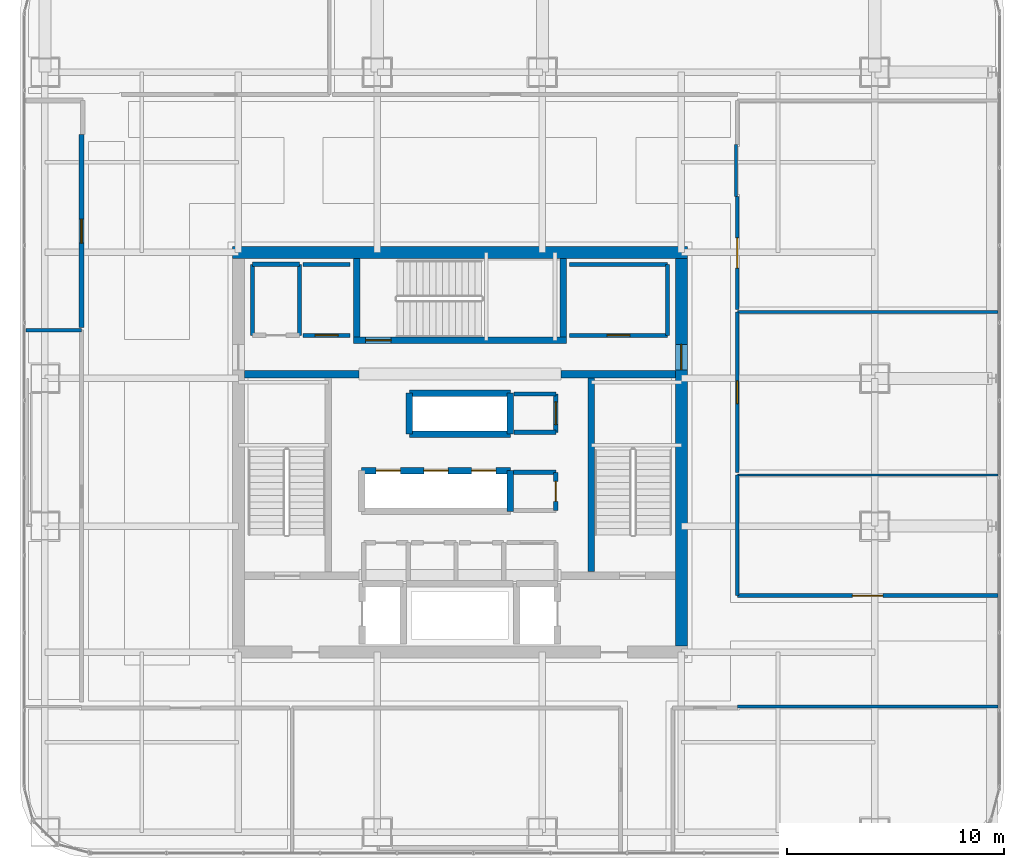
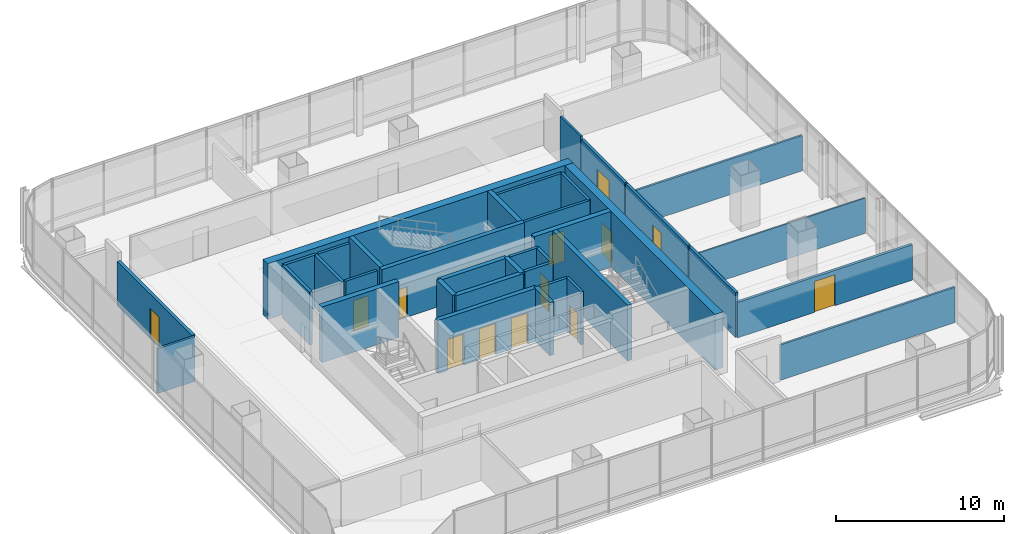
# One storey, part 34 of 42: 37 walls, 13 doors, 13 openings.
"""IFC4 building model written with IfcOpenShell, lengths in metres."""

from ifc_helpers import new_model, si_unit, direction, frame, frame_2d, origin, place, context, subcontext, project, spatial, rectangle, extrude, material, layer, layer_set, type_object, element, fill, save


model = new_model("IFC4")

# Units and contexts
model_context = context("Model", 3, precision=1e-05, world=origin(), true_north=direction((0.0, 1.0)))
body_context = subcontext(model_context, "Body", "Model", "MODEL_VIEW")
ifc_project = project(units=[si_unit("LENGTHUNIT", "METRE"), si_unit("AREAUNIT", "SQUARE_METRE"), si_unit("VOLUMEUNIT", "CUBIC_METRE"), si_unit("PLANEANGLEUNIT", "RADIAN"), si_unit("MASSUNIT", "GRAM", prefix="KILO")], contexts=[model_context])

# Site, building, storey
site_placement = place(None, origin())
site = spatial("IfcSite", under=ifc_project, at=site_placement, CompositionType="ELEMENT")
building_placement = place(site_placement, origin())
building = spatial("IfcBuilding", under=site, at=building_placement, Name="Punatoya Terracotta Tower", CompositionType="ELEMENT")
storey_placement = place(building_placement, frame((0.0, 0.0, 255.449951171875)))
storey = spatial("IfcBuildingStorey", under=building, at=storey_placement, Name="L60", CompositionType="ELEMENT", Elevation=255.449951171875)

# Wall
ifc_material_1 = material(Name="Concrete C50/60", Category="concrete")
ifc_layer_1 = layer(ifc_material_1, 0.550048828125)
ifc_layer_set_1 = layer_set([ifc_layer_1], Name="Concrete C50/60")
wall_type_1 = type_object("IfcWallType", Name="WL-COR-550", PredefinedType="SHEAR", material=ifc_layer_set_1)
wall_1_placement = place(storey_placement, frame((-10.47509765625, 9.199951171875, 0.0), z_axis=(0.0, 0.0, 1.0), x_axis=(1.0, 0.0, 0.0)))
element("IfcWall", 1, at=wall_1_placement, inside=storey, type_object=wall_type_1, Name="L60 Core Shear Wall N", PredefinedType="SHEAR", context=body_context, shape_type="SweptSolid", body=[
    extrude(rectangle(XDim=20.9501953125, YDim=0.550048828125, at=frame_2d((10.47509765625, 0.0))), origin(), (0.0, 0.0, 1.0), 4.050048828125),
])

# Wall, opening, door
wall_2_placement = place(storey_placement, frame((10.199951171875, 8.925048828125, 0.0), z_axis=(0.0, 0.0, 1.0), x_axis=(0.0, -1.0, 0.0)))
wall_2 = element("IfcWall", 2, at=wall_2_placement, inside=storey, type_object=wall_type_1, Name="L60 Core Shear Wall E", PredefinedType="SHEAR", context=body_context, shape_type="SweptSolid", body=[
    extrude(rectangle(XDim=17.85009765625, YDim=0.550048828125, at=frame_2d((8.925048828125, 0.0))), origin(), (0.0, 0.0, 1.0), 4.050048828125),
])
opening_1_placement = place(wall_2_placement, frame((3.955078125, 0.0, 0.0)))
opening_1 = element("IfcOpeningElement", 3, at=opening_1_placement, cuts=wall_2, Name="Opening SD-01", PredefinedType="OPENING", context=body_context, shape_type="SweptSolid", body=[
    extrude(rectangle(XDim=1.179931640625, YDim=2.199951171875, at=frame_2d((0.58984375, 1.10009765625))), frame((0.0, 0.284912109375, 0.0), z_axis=(0.0, -1.0, 0.0), x_axis=(1.0, 0.0, 0.0)), (0.0, 0.0, 1.0), 0.570068359375),
])
ifc_material_2 = material(Name="Galvanised Steel Pressurized Stair Fire Door", Category="steel")
door_type_1 = type_object("IfcDoorType", Name="DR-STR-1180", OperationType="NOTDEFINED", PredefinedType="DOOR", material=ifc_material_2)
door_1_placement = place(opening_1_placement, origin())
door_1 = element("IfcDoor", 4, at=door_1_placement, inside=storey, type_object=door_type_1, Name="L60 Central Lift Lobby East Fire Door", OperationType="SINGLE_SWING_RIGHT", OverallHeight=2.199951171875, OverallWidth=1.179931640625, PredefinedType="DOOR", context=body_context, shape_type="SweptSolid", body=[
    extrude(rectangle(XDim=1.179931640625, YDim=2.199951171875, at=frame_2d((0.58984375, 1.10009765625))), frame((0.0, 0.02490234375, 0.0), z_axis=(0.0, -1.0, 0.0), x_axis=(1.0, 0.0, 0.0)), (0.0, 0.0, 1.0), 0.050048828125),
])
fill(opening_1, door_1)

# Wall
ifc_material_3 = material(Name="Gypsum Fireboard + Steel Stud", Category="steel")
ifc_layer_2 = layer(ifc_material_3, 0.179931640625)
ifc_layer_set_2 = layer_set([ifc_layer_2], Name="Gypsum Fireboard + Steel Stud")
wall_type_2 = type_object("IfcWallType", Name="WL-CORR-180", PredefinedType="PARTITIONING", material=ifc_layer_set_2)
wall_3_placement = place(storey_placement, frame((-5.050048828125, 8.64990234375, 0.0), z_axis=(0.0, 0.0, 1.0), x_axis=(-1.0, 0.0, 0.0)))
element("IfcWall", 5, at=wall_3_placement, inside=storey, type_object=wall_type_2, Name="L60 West Core Print Room Partition 20", PredefinedType="PARTITIONING", context=body_context, shape_type="SweptSolid", body=[
    extrude(rectangle(XDim=2.169921875, YDim=0.179931640625, at=frame_2d((1.0849609375, 0.0))), origin(), (0.0, 0.0, 1.0), 3.85009765625),
])

# Wall, opening, door
wall_4_placement = place(storey_placement, frame((-7.219970703125, 5.3798828125, 0.0), z_axis=(0.0, 0.0, 1.0), x_axis=(1.0, 0.0, 0.0)))
wall_4 = element("IfcWall", 6, at=wall_4_placement, inside=storey, type_object=wall_type_2, Name="L60 West Core Print Room Partition 21", PredefinedType="PARTITIONING", context=body_context, shape_type="SweptSolid", body=[
    extrude(rectangle(XDim=2.169921875, YDim=0.179931640625, at=frame_2d((1.0849609375, 0.0))), origin(), (0.0, 0.0, 1.0), 3.85009765625),
])
opening_2_placement = place(wall_4_placement, frame((0.56005859375, 0.0, 0.0)))
opening_2 = element("IfcOpeningElement", 7, at=opening_2_placement, cuts=wall_4, Name="Opening OD-01", PredefinedType="OPENING", context=body_context, shape_type="SweptSolid", body=[
    extrude(rectangle(XDim=1.050048828125, YDim=2.199951171875, at=frame_2d((0.52490234375, 1.10009765625))), frame((0.0, 0.099853515625, 0.0), z_axis=(0.0, -1.0, 0.0), x_axis=(1.0, 0.0, 0.0)), (0.0, 0.0, 1.0), 0.199951171875),
])
ifc_material_4 = material(Name="Bengal Teak Solid-Core Leaf")
door_type_2 = type_object("IfcDoorType", Name="DR-OFF-1050", OperationType="NOTDEFINED", PredefinedType="DOOR", material=ifc_material_4)
door_2_placement = place(opening_2_placement, origin())
door_2 = element("IfcDoor", 8, at=door_2_placement, inside=storey, type_object=door_type_2, Name="L60 West Print Room Door", OperationType="SINGLE_SWING_RIGHT", OverallHeight=2.199951171875, OverallWidth=1.050048828125, PredefinedType="DOOR", context=body_context, shape_type="SweptSolid", body=[
    extrude(rectangle(XDim=1.050048828125, YDim=2.199951171875, at=frame_2d((0.52490234375, 1.10009765625))), frame((0.0, 0.02490234375, 0.0), z_axis=(0.0, -1.0, 0.0), x_axis=(1.0, 0.0, 0.0)), (0.0, 0.0, 1.0), 0.050048828125),
])
fill(opening_2, door_2)

# Walls
wall_5_placement = place(storey_placement, frame((9.550048828125, 5.3798828125, 0.0), z_axis=(0.0, 0.0, 1.0), x_axis=(0.0, 1.0, 0.0)))
element("IfcWall", 9, at=wall_5_placement, inside=storey, type_object=wall_type_2, Name="L60 East Core Wellness Room Partition 22", PredefinedType="PARTITIONING", context=body_context, shape_type="SweptSolid", body=[
    extrude(rectangle(XDim=3.27001953125, YDim=0.179931640625, at=frame_2d((1.635009765625, 0.0))), origin(), (0.0, 0.0, 1.0), 3.85009765625),
])
wall_6_placement = place(storey_placement, frame((9.550048828125, 8.64990234375, 0.0), z_axis=(0.0, 0.0, 1.0), x_axis=(-1.0, 0.0, 0.0)))
element("IfcWall", 10, at=wall_6_placement, inside=storey, type_object=wall_type_2, Name="L60 East Core Wellness Room Partition 23", PredefinedType="PARTITIONING", context=body_context, shape_type="SweptSolid", body=[
    extrude(rectangle(XDim=4.5, YDim=0.179931640625, at=frame_2d((2.25, 0.0))), origin(), (0.0, 0.0, 1.0), 3.85009765625),
])

# Wall, opening, door
wall_7_placement = place(storey_placement, frame((5.050048828125, 5.3798828125, 0.0), z_axis=(0.0, 0.0, 1.0), x_axis=(1.0, 0.0, 0.0)))
wall_7 = element("IfcWall", 11, at=wall_7_placement, inside=storey, type_object=wall_type_2, Name="L60 East Core Wellness Room Partition 24", PredefinedType="PARTITIONING", context=body_context, shape_type="SweptSolid", body=[
    extrude(rectangle(XDim=4.5, YDim=0.179931640625, at=frame_2d((2.25, 0.0))), origin(), (0.0, 0.0, 1.0), 3.85009765625),
])
opening_3_placement = place(wall_7_placement, frame((1.72509765625, 0.0, 0.0)))
opening_3 = element("IfcOpeningElement", 12, at=opening_3_placement, cuts=wall_7, Name="Opening OD-01", PredefinedType="OPENING", context=body_context, shape_type="SweptSolid", body=[
    extrude(rectangle(XDim=1.050048828125, YDim=2.199951171875, at=frame_2d((0.52490234375, 1.10009765625))), frame((0.0, 0.099853515625, 0.0), z_axis=(0.0, -1.0, 0.0), x_axis=(1.0, 0.0, 0.0)), (0.0, 0.0, 1.0), 0.199951171875),
])
door_3_placement = place(opening_3_placement, origin())
door_3 = element("IfcDoor", 13, at=door_3_placement, inside=storey, type_object=door_type_2, Name="L60 East Wellness Room Door", OperationType="SINGLE_SWING_LEFT", OverallHeight=2.199951171875, OverallWidth=1.050048828125, PredefinedType="DOOR", context=body_context, shape_type="SweptSolid", body=[
    extrude(rectangle(XDim=1.050048828125, YDim=2.199951171875, at=frame_2d((0.52490234375, 1.10009765625))), frame((0.0, 0.02490234375, 0.0), z_axis=(0.0, -1.0, 0.0), x_axis=(1.0, 0.0, 0.0)), (0.0, 0.0, 1.0), 0.050048828125),
])
fill(opening_3, door_3)

wall_8_placement = place(storey_placement, frame((24.77001953125, -6.60009765625, 0.0), z_axis=(0.0, 0.0, 1.0), x_axis=(-1.0, 0.0, 0.0)))
wall_8 = element("IfcWall", 14, at=wall_8_placement, inside=storey, type_object=wall_type_2, Name="L60 Open-Plan Press Briefing Room Partition 33", PredefinedType="PARTITIONING", context=body_context, shape_type="SweptSolid", body=[
    extrude(rectangle(XDim=12.0, YDim=0.179931640625, at=frame_2d((6.0, 0.0))), origin(), (0.0, 0.0, 1.0), 2.56396484375),
])
opening_4_placement = place(wall_8_placement, frame((5.300048828125, 0.0, 0.0)))
opening_4 = element("IfcOpeningElement", 15, at=opening_4_placement, cuts=wall_8, Name="Opening BD-01", PredefinedType="OPENING", context=body_context, shape_type="SweptSolid", body=[
    extrude(rectangle(XDim=1.39990234375, YDim=2.25, at=frame_2d((0.699951171875, 1.125))), frame((0.0, 0.099853515625, 0.0), z_axis=(0.0, -1.0, 0.0), x_axis=(1.0, 0.0, 0.0)), (0.0, 0.0, 1.0), 0.199951171875),
])
ifc_material_5 = material(Name="Bengal Teak Acoustic Leaf")
door_type_3 = type_object("IfcDoorType", Name="DR-BRD-1400", OperationType="NOTDEFINED", PredefinedType="DOOR", material=ifc_material_5)
door_4_placement = place(opening_4_placement, origin())
door_4 = element("IfcDoor", 16, at=door_4_placement, inside=storey, type_object=door_type_3, Name="L60 Open-Plan Press Briefing Room Door", OperationType="SINGLE_SWING_LEFT", OverallHeight=2.25, OverallWidth=1.39990234375, PredefinedType="DOOR", context=body_context, shape_type="SweptSolid", body=[
    extrude(rectangle(XDim=1.39990234375, YDim=2.25, at=frame_2d((0.699951171875, 1.125))), frame((0.0, 0.02490234375, 0.0), z_axis=(0.0, -1.0, 0.0), x_axis=(1.0, 0.0, 0.0)), (0.0, 0.0, 1.0), 0.050048828125),
])
fill(opening_4, door_4)

# Wall
wall_9_placement = place(storey_placement, frame((12.77001953125, -6.60009765625, 0.0), z_axis=(0.0, 0.0, 1.0), x_axis=(0.0, 1.0, 0.0)))
element("IfcWall", 17, at=wall_9_placement, inside=storey, type_object=wall_type_2, Name="L60 Open-Plan Press Briefing Room Partition 34", PredefinedType="PARTITIONING", context=body_context, shape_type="SweptSolid", body=[
    extrude(rectangle(XDim=5.55419921875, YDim=0.179931640625, at=frame_2d((2.777099609375, 0.0))), origin(), (0.0, 0.0, 1.0), 3.244140625),
])

# Wall, opening, door
wall_10_placement = place(storey_placement, frame((12.77001953125, -0.926025390625, 0.0), z_axis=(0.0, 0.0, 1.0), x_axis=(0.0, 1.0, 0.0)))
wall_10 = element("IfcWall", 18, at=wall_10_placement, inside=storey, type_object=wall_type_2, Name="L60 Open-Plan Acoustic Wellness Room Partition 38", PredefinedType="PARTITIONING", context=body_context, shape_type="SweptSolid", body=[
    extrude(rectangle(XDim=7.385986328125, YDim=0.179931640625, at=frame_2d((3.69287109375, 0.0))), origin(), (0.0, 0.0, 1.0), 3.244140625),
])
opening_5_placement = place(wall_10_placement, frame((3.16796875, 0.0, 0.0)))
opening_5 = element("IfcOpeningElement", 19, at=opening_5_placement, cuts=wall_10, Name="Opening OD-01", PredefinedType="OPENING", context=body_context, shape_type="SweptSolid", body=[
    extrude(rectangle(XDim=1.050048828125, YDim=2.199951171875, at=frame_2d((0.52490234375, 1.10009765625))), frame((0.0, 0.099853515625, 0.0), z_axis=(0.0, -1.0, 0.0), x_axis=(1.0, 0.0, 0.0)), (0.0, 0.0, 1.0), 0.199951171875),
])
door_5_placement = place(opening_5_placement, origin())
door_5 = element("IfcDoor", 20, at=door_5_placement, inside=storey, type_object=door_type_2, Name="L60 Open-Plan Acoustic Wellness Room Door", OperationType="SINGLE_SWING_LEFT", OverallHeight=2.199951171875, OverallWidth=1.050048828125, PredefinedType="DOOR", context=body_context, shape_type="SweptSolid", body=[
    extrude(rectangle(XDim=1.050048828125, YDim=2.199951171875, at=frame_2d((0.52490234375, 1.10009765625))), frame((0.0, 0.02490234375, 0.0), z_axis=(0.0, -1.0, 0.0), x_axis=(1.0, 0.0, 0.0)), (0.0, 0.0, 1.0), 0.050048828125),
])
fill(opening_5, door_5)

wall_11_placement = place(storey_placement, frame((12.77001953125, 6.580078125, 0.0), z_axis=(0.0, 0.0, 1.0), x_axis=(0.0, 1.0, 0.0)))
wall_11 = element("IfcWall", 21, at=wall_11_placement, inside=storey, type_object=wall_type_2, Name="L60 Editorial Conference Room Partition 43", PredefinedType="PARTITIONING", context=body_context, shape_type="SweptSolid", body=[
    extrude(rectangle(XDim=5.18994140625, YDim=0.179931640625, at=frame_2d((2.594970703125, 0.0))), origin(), (0.0, 0.0, 1.0), 3.244140625),
])
opening_6_placement = place(wall_11_placement, frame((1.89501953125, 0.0, 0.0)))
opening_6 = element("IfcOpeningElement", 22, at=opening_6_placement, cuts=wall_11, Name="Opening BD-01", PredefinedType="OPENING", context=body_context, shape_type="SweptSolid", body=[
    extrude(rectangle(XDim=1.39990234375, YDim=2.25, at=frame_2d((0.699951171875, 1.125))), frame((0.0, 0.099853515625, 0.0), z_axis=(0.0, -1.0, 0.0), x_axis=(1.0, 0.0, 0.0)), (0.0, 0.0, 1.0), 0.199951171875),
])
door_6_placement = place(opening_6_placement, origin())
door_6 = element("IfcDoor", 23, at=door_6_placement, inside=storey, type_object=door_type_3, Name="L60 Editorial Conference Room Door", OperationType="SINGLE_SWING_LEFT", OverallHeight=2.25, OverallWidth=1.39990234375, PredefinedType="DOOR", context=body_context, shape_type="SweptSolid", body=[
    extrude(rectangle(XDim=1.39990234375, YDim=2.25, at=frame_2d((0.699951171875, 1.125))), frame((0.0, 0.02490234375, 0.0), z_axis=(0.0, -1.0, 0.0), x_axis=(1.0, 0.0, 0.0)), (0.0, 0.0, 1.0), 0.050048828125),
])
fill(opening_6, door_6)

ifc_material_6 = material(Name="Concrete C40/50", Category="concrete")
ifc_layer_3 = layer(ifc_material_6, 0.219970703125)
ifc_layer_set_3 = layer_set([ifc_layer_3], Name="Concrete C40/50")
wall_type_3 = type_object("IfcWallType", Name="WL-FIR-220", PredefinedType="SOLIDWALL", material=ifc_layer_set_3)
wall_12_placement = place(storey_placement, frame((-17.419921875, 14.6201171875, 0.0), z_axis=(0.0, 0.0, 1.0), x_axis=(0.0, -1.0, 0.0)))
wall_12 = element("IfcWall", 24, at=wall_12_placement, inside=storey, type_object=wall_type_3, Name="L60 Model-Making Archive Partition 42", PredefinedType="SOLIDWALL", context=body_context, shape_type="SweptSolid", body=[
    extrude(rectangle(XDim=8.8740234375, YDim=0.219970703125, at=frame_2d((4.43701171875, 0.0))), origin(), (0.0, 0.0, 1.0), 3.244140625),
])
opening_7_placement = place(wall_12_placement, frame((3.886962890625, 0.0, 0.0)))
opening_7 = element("IfcOpeningElement", 25, at=opening_7_placement, cuts=wall_12, Name="Opening FD-P1", PredefinedType="OPENING", context=body_context, shape_type="SweptSolid", body=[
    extrude(rectangle(XDim=1.10009765625, YDim=2.199951171875, at=frame_2d((0.550048828125, 1.10009765625))), frame((0.0, 0.119873046875, 0.0), z_axis=(0.0, -1.0, 0.0), x_axis=(1.0, 0.0, 0.0)), (0.0, 0.0, 1.0), 0.239990234375),
])
ifc_material_7 = material(Name="Galvanised Steel Plant Fire Door", Category="steel")
door_type_4 = type_object("IfcDoorType", Name="DR-PLT-1100", OperationType="NOTDEFINED", PredefinedType="DOOR", material=ifc_material_7)
door_7_placement = place(opening_7_placement, origin())
door_7 = element("IfcDoor", 26, at=door_7_placement, inside=storey, type_object=door_type_4, Name="L60 Model-Making Archive Fire Door", OperationType="SINGLE_SWING_RIGHT", OverallHeight=2.199951171875, OverallWidth=1.10009765625, PredefinedType="DOOR", context=body_context, shape_type="SweptSolid", body=[
    extrude(rectangle(XDim=1.10009765625, YDim=2.199951171875, at=frame_2d((0.550048828125, 1.10009765625))), frame((0.0, 0.02490234375, 0.0), z_axis=(0.0, -1.0, 0.0), x_axis=(1.0, 0.0, 0.0)), (0.0, 0.0, 1.0), 0.050048828125),
])
fill(opening_7, door_7)

# Wall
ifc_material_8 = material(Name="Aluminium Framed Acoustic Glass Partition", Category="aluminium")
ifc_layer_4 = layer(ifc_material_8, 0.10009765625)
ifc_layer_set_4 = layer_set([ifc_layer_4], Name="Aluminium Framed Acoustic Glass Partition")
wall_type_4 = type_object("IfcWallType", Name="WL-GLZ-100", PredefinedType="PARTITIONING", material=ifc_layer_set_4)
wall_13_placement = place(storey_placement, frame((12.77001953125, -1.0458984375, 0.0), z_axis=(0.0, 0.0, 1.0), x_axis=(1.0, 0.0, 0.0)))
element("IfcWall", 27, at=wall_13_placement, inside=storey, type_object=wall_type_4, Name="L60 Open-Plan Press Briefing Room Partition 35", PredefinedType="PARTITIONING", context=body_context, shape_type="SweptSolid", body=[
    extrude(rectangle(XDim=12.0, YDim=0.10009765625, at=frame_2d((6.0, 0.0))), origin(), (0.0, 0.0, 1.0), 2.56396484375),
])

# Wall, opening, door
ifc_layer_5 = layer(ifc_material_6, 0.199951171875)
ifc_layer_set_5 = layer_set([ifc_layer_5], Name="Concrete C40/50")
wall_type_5 = type_object("IfcWallType", Name="WL-INT-200", PredefinedType="SOLIDWALL", material=ifc_layer_set_5)
wall_14_placement = place(storey_placement, frame((4.419921875, -2.679931640625, 0.0), z_axis=(0.0, 0.0, 1.0), x_axis=(0.0, 1.0, 0.0)))
wall_14 = element("IfcWall", 28, at=wall_14_placement, inside=storey, type_object=wall_type_5, Name="L60 East Core Reprographics Store Partition 10", PredefinedType="SOLIDWALL", context=body_context, shape_type="SweptSolid", body=[
    extrude(rectangle(XDim=1.760009765625, YDim=0.199951171875, at=frame_2d((0.8798828125, 0.0))), origin(), (0.0, 0.0, 1.0), 3.85009765625),
])
opening_8_placement = place(wall_14_placement, frame((0.419921875, 0.0, 0.0)))
opening_8 = element("IfcOpeningElement", 29, at=opening_8_placement, cuts=wall_14, Name="Opening FD-R1", PredefinedType="OPENING", context=body_context, shape_type="SweptSolid", body=[
    extrude(rectangle(XDim=0.919921875, YDim=2.10009765625, at=frame_2d((0.4599609375, 1.050048828125))), frame((0.0, 0.10986328125, 0.0), z_axis=(0.0, -1.0, 0.0), x_axis=(1.0, 0.0, 0.0)), (0.0, 0.0, 1.0), 0.219970703125),
])
ifc_material_9 = material(Name="Galvanised Steel Riser Fire Access Door", Category="steel")
door_type_5 = type_object("IfcDoorType", Name="DR-RSR-920", OperationType="NOTDEFINED", PredefinedType="DOOR", material=ifc_material_9)
door_8_placement = place(opening_8_placement, origin())
door_8 = element("IfcDoor", 30, at=door_8_placement, inside=storey, type_object=door_type_5, Name="L60 East Core Reprographics Store Fire Door", OperationType="SINGLE_SWING_LEFT", OverallHeight=2.10009765625, OverallWidth=0.919921875, PredefinedType="DOOR", context=body_context, shape_type="SweptSolid", body=[
    extrude(rectangle(XDim=0.919921875, YDim=2.10009765625, at=frame_2d((0.4599609375, 1.050048828125))), frame((0.0, 0.02490234375, 0.0), z_axis=(0.0, -1.0, 0.0), x_axis=(1.0, 0.0, 0.0)), (0.0, 0.0, 1.0), 0.050048828125),
])
fill(opening_8, door_8)

# Wall
wall_15_placement = place(storey_placement, frame((4.419921875, -0.919921875, 0.0), z_axis=(0.0, 0.0, 1.0), x_axis=(-1.0, 0.0, 0.0)))
element("IfcWall", 31, at=wall_15_placement, inside=storey, type_object=wall_type_5, Name="L60 East Core Reprographics Store Partition 11", PredefinedType="SOLIDWALL", context=body_context, shape_type="SweptSolid", body=[
    extrude(rectangle(XDim=1.93994140625, YDim=0.199951171875, at=frame_2d((0.969970703125, 0.0))), origin(), (0.0, 0.0, 1.0), 3.85009765625),
])

# Wall, opening, door
wall_16_placement = place(storey_placement, frame((4.419921875, 0.919921875, 0.0), z_axis=(0.0, 0.0, 1.0), x_axis=(0.0, 1.0, 0.0)))
wall_16 = element("IfcWall", 32, at=wall_16_placement, inside=storey, type_object=wall_type_5, Name="L60 Executive Steward Pantry Partition 13", PredefinedType="SOLIDWALL", context=body_context, shape_type="SweptSolid", body=[
    extrude(rectangle(XDim=1.760009765625, YDim=0.199951171875, at=frame_2d((0.8798828125, 0.0))), origin(), (0.0, 0.0, 1.0), 3.85009765625),
])
opening_9_placement = place(wall_16_placement, frame((0.35498046875, 0.0, 0.0)))
opening_9 = element("IfcOpeningElement", 33, at=opening_9_placement, cuts=wall_16, Name="Opening OD-01", PredefinedType="OPENING", context=body_context, shape_type="SweptSolid", body=[
    extrude(rectangle(XDim=1.050048828125, YDim=2.199951171875, at=frame_2d((0.52490234375, 1.10009765625))), frame((0.0, 0.10986328125, 0.0), z_axis=(0.0, -1.0, 0.0), x_axis=(1.0, 0.0, 0.0)), (0.0, 0.0, 1.0), 0.219970703125),
])
door_9_placement = place(opening_9_placement, origin())
door_9 = element("IfcDoor", 34, at=door_9_placement, inside=storey, type_object=door_type_2, Name="L60 Executive Steward Pantry Door", OperationType="SINGLE_SWING_RIGHT", OverallHeight=2.199951171875, OverallWidth=1.050048828125, PredefinedType="DOOR", context=body_context, shape_type="SweptSolid", body=[
    extrude(rectangle(XDim=1.050048828125, YDim=2.199951171875, at=frame_2d((0.52490234375, 1.10009765625))), frame((0.0, 0.02490234375, 0.0), z_axis=(0.0, -1.0, 0.0), x_axis=(1.0, 0.0, 0.0)), (0.0, 0.0, 1.0), 0.050048828125),
])
fill(opening_9, door_9)

# Walls
for number, where, z_axis, x_axis, name in (
    (35, (4.419921875, 2.679931640625, 0.0), (0.0, 0.0, 1.0), (-1.0, 0.0, 0.0), "L60 Executive Steward Pantry Partition 14"),
    (36, (2.5, 0.919921875, 0.0), (0.0, 0.0, 1.0), (1.0, 0.0, 0.0), "L60 Executive Steward Pantry Partition 15"),
):
    element("IfcWall", number, at=place(storey_placement, frame(where, z_axis=z_axis, x_axis=x_axis)), inside=storey, type_object=wall_type_5, Name=name, PredefinedType="SOLIDWALL", context=body_context, shape_type="SweptSolid", body=[
        extrude(rectangle(XDim=1.919921875, YDim=0.199951171875, at=frame_2d((0.9599609375, 0.0))), origin(), (0.0, 0.0, 1.0), 3.85009765625),
    ])
wall_17_placement = place(storey_placement, frame((-7.3798828125, 5.3798828125, 0.0), z_axis=(0.0, 0.0, 1.0), x_axis=(0.0, 1.0, 0.0)))
element("IfcWall", 37, at=wall_17_placement, inside=storey, type_object=wall_type_5, Name="L60 West Core Archive Vault Partition 16", PredefinedType="SOLIDWALL", context=body_context, shape_type="SweptSolid", body=[
    extrude(rectangle(XDim=3.27001953125, YDim=0.199951171875, at=frame_2d((1.635009765625, 0.0))), origin(), (0.0, 0.0, 1.0), 3.85009765625),
])
wall_18_placement = place(storey_placement, frame((-7.3798828125, 8.64990234375, 0.0), z_axis=(0.0, 0.0, 1.0), x_axis=(-1.0, 0.0, 0.0)))
element("IfcWall", 38, at=wall_18_placement, inside=storey, type_object=wall_type_5, Name="L60 West Core Archive Vault Partition 17", PredefinedType="SOLIDWALL", context=body_context, shape_type="SweptSolid", body=[
    extrude(rectangle(XDim=2.170166015625, YDim=0.199951171875, at=frame_2d((1.0849609375, 0.0))), origin(), (0.0, 0.0, 1.0), 3.85009765625),
])
wall_19_placement = place(storey_placement, frame((-9.550048828125, 8.64990234375, 0.0), z_axis=(0.0, 0.0, 1.0), x_axis=(0.0, -1.0, 0.0)))
element("IfcWall", 39, at=wall_19_placement, inside=storey, type_object=wall_type_5, Name="L60 West Core Archive Vault Partition 18", PredefinedType="SOLIDWALL", context=body_context, shape_type="SweptSolid", body=[
    extrude(rectangle(XDim=3.27001953125, YDim=0.199951171875, at=frame_2d((1.635009765625, 0.0))), origin(), (0.0, 0.0, 1.0), 3.85009765625),
])
ifc_material_10 = material(Name="Acoustic Gypsum + Steel Stud", Category="steel")
ifc_layer_6 = layer(ifc_material_10, 0.139892578125)
ifc_layer_set_6 = layer_set([ifc_layer_6], Name="Acoustic Gypsum + Steel Stud")
wall_type_6 = type_object("IfcWallType", Name="WL-OFF-140", PredefinedType="PARTITIONING", material=ifc_layer_set_6)
for number, where, z_axis, x_axis, name in (
    (40, (12.77001953125, -11.7099609375, 0.0), (0.0, 0.0, 1.0), (1.0, 0.0, 0.0), "L60 Open-Plan Graphic Design Workplace Partition 31"),
    (41, (12.77001953125, 6.4599609375, 0.0), (0.0, 0.0, 1.0), (1.0, 0.0, 0.0), "L60 Open-Plan Acoustic Wellness Room Partition 39"),
):
    element("IfcWall", number, at=place(storey_placement, frame(where, z_axis=z_axis, x_axis=x_axis)), inside=storey, type_object=wall_type_6, Name=name, PredefinedType="PARTITIONING", context=body_context, shape_type="SweptSolid", body=[
        extrude(rectangle(XDim=12.0, YDim=0.139892578125, at=frame_2d((6.0, 0.0))), origin(), (0.0, 0.0, 1.0), 2.56396484375),
    ])
wall_20_placement = place(storey_placement, frame((12.7099609375, 11.77001953125, 0.0), z_axis=(0.0, 0.0, 1.0), x_axis=(0.0, 1.0, 0.0)))
element("IfcWall", 42, at=wall_20_placement, inside=storey, type_object=wall_type_6, Name="L60 Editorial Conference Room Partition 44", PredefinedType="PARTITIONING", context=body_context, shape_type="SweptSolid", body=[
    extrude(rectangle(XDim=2.409912109375, YDim=0.139892578125, at=frame_2d((1.205078125, 0.0))), origin(), (0.0, 0.0, 1.0), 3.484130859375),
])
ifc_layer_7 = layer(ifc_material_6, 0.300048828125)
ifc_layer_set_7 = layer_set([ifc_layer_7], Name="Concrete C40/50")
wall_type_7 = type_object("IfcWallType", Name="WL-SHF-300", PredefinedType="SOLIDWALL", material=ifc_layer_set_7)
wall_21_placement = place(storey_placement, frame((6.050048828125, 3.449951171875, 0.0), z_axis=(0.0, 0.0, 1.0), x_axis=(0.0, -1.0, 0.0)))
element("IfcWall", 43, at=wall_21_placement, inside=storey, type_object=wall_type_7, Name="L60 Structural Stair Shaft Wall SW-ST2-W", PredefinedType="SOLIDWALL", context=body_context, shape_type="SweptSolid", body=[
    extrude(rectangle(XDim=8.949951171875, YDim=0.300048828125, at=frame_2d((4.47509765625, 0.0))), origin(), (0.0, 0.0, 1.0), 4.050048828125),
])
for number, where, z_axis, x_axis, name in (
    (44, (-4.75, 5.300048828125, 0.0), (0.0, 0.0, 1.0), (0.0, 1.0, 0.0), "L60 Structural Stair Shaft Wall SW-ST3-W"),
    (45, (4.75, 8.925048828125, 0.0), (0.0, 0.0, 1.0), (0.0, -1.0, 0.0), "L60 Structural Stair Shaft Wall SW-ST3-E"),
):
    element("IfcWall", number, at=place(storey_placement, frame(where, z_axis=z_axis, x_axis=x_axis)), inside=storey, type_object=wall_type_7, Name=name, PredefinedType="SOLIDWALL", context=body_context, shape_type="SweptSolid", body=[
        extrude(rectangle(XDim=3.625, YDim=0.300048828125, at=frame_2d((1.8125, 0.0))), origin(), (0.0, 0.0, 1.0), 4.050048828125),
    ])

# Wall, opening, door
wall_22_placement = place(storey_placement, frame((-4.89990234375, 5.14990234375, 0.0), z_axis=(0.0, 0.0, 1.0), x_axis=(1.0, 0.0, 0.0)))
wall_22 = element("IfcWall", 46, at=wall_22_placement, inside=storey, type_object=wall_type_7, Name="L60 Structural Stair Shaft Wall SW-ST3-S", PredefinedType="SOLIDWALL", context=body_context, shape_type="SweptSolid", body=[
    extrude(rectangle(XDim=9.7998046875, YDim=0.300048828125, at=frame_2d((4.89990234375, 0.0))), origin(), (0.0, 0.0, 1.0), 4.050048828125),
])
opening_10_placement = place(wall_22_placement, frame((0.56005859375, 0.0, 0.0)))
opening_10 = element("IfcOpeningElement", 47, at=opening_10_placement, cuts=wall_22, Name="Opening SD-01", PredefinedType="OPENING", context=body_context, shape_type="SweptSolid", body=[
    extrude(rectangle(XDim=1.179931640625, YDim=2.199951171875, at=frame_2d((0.58984375, 1.10009765625))), frame((0.0, 0.159912109375, 0.0), z_axis=(0.0, -1.0, 0.0), x_axis=(1.0, 0.0, 0.0)), (0.0, 0.0, 1.0), 0.320068359375),
])
door_10_placement = place(opening_10_placement, origin())
door_10 = element("IfcDoor", 48, at=door_10_placement, inside=storey, type_object=door_type_1, Name="L60 Stair ST-3 Core Lobby Fire Door", OperationType="SINGLE_SWING_LEFT", OverallHeight=2.199951171875, OverallWidth=1.179931640625, PredefinedType="DOOR", context=body_context, shape_type="SweptSolid", body=[
    extrude(rectangle(XDim=1.179931640625, YDim=2.199951171875, at=frame_2d((0.58984375, 1.10009765625))), frame((0.0, 0.02490234375, 0.0), z_axis=(0.0, -1.0, 0.0), x_axis=(1.0, 0.0, 0.0)), (0.0, 0.0, 1.0), 0.050048828125),
])
fill(opening_10, door_10)

# Wall, openings, doors
wall_23_placement = place(storey_placement, frame((-4.52001953125, -0.840087890625, 0.0), z_axis=(0.0, 0.0, 1.0), x_axis=(1.0, 0.0, 0.0)))
wall_23 = element("IfcWall", 49, at=wall_23_placement, inside=storey, type_object=wall_type_7, Name="L60 South Lift Bank Front Shaft Wall", PredefinedType="SOLIDWALL", context=body_context, shape_type="SweptSolid", body=[
    extrude(rectangle(XDim=6.840087890625, YDim=0.300048828125, at=frame_2d((3.419921875, 0.0))), origin(), (0.0, 0.0, 1.0), 3.85009765625),
])
opening_11_placement = place(wall_23_placement, frame((0.659912109375, 0.0, 0.0)))
opening_11 = element("IfcOpeningElement", 50, at=opening_11_placement, cuts=wall_23, Name="Opening LD-02", PredefinedType="OPENING", context=body_context, shape_type="SweptSolid", body=[
    extrude(rectangle(XDim=1.1201171875, YDim=2.25, at=frame_2d((0.56005859375, 1.125))), frame((0.0, 0.159912109375, 0.0), z_axis=(0.0, -1.0, 0.0), x_axis=(1.0, 0.0, 0.0)), (0.0, 0.0, 1.0), 0.320068359375),
])
opening_12_placement = place(wall_23_placement, frame((2.860107421875, 0.0, 0.0)))
opening_12 = element("IfcOpeningElement", 51, at=opening_12_placement, cuts=wall_23, Name="Opening LD-02", PredefinedType="OPENING", context=body_context, shape_type="SweptSolid", body=[
    extrude(rectangle(XDim=1.1201171875, YDim=2.25, at=frame_2d((0.56005859375, 1.125))), frame((0.0, 0.159912109375, 0.0), z_axis=(0.0, -1.0, 0.0), x_axis=(1.0, 0.0, 0.0)), (0.0, 0.0, 1.0), 0.320068359375),
])
opening_13_placement = place(wall_23_placement, frame((5.06005859375, 0.0, 0.0)))
opening_13 = element("IfcOpeningElement", 52, at=opening_13_placement, cuts=wall_23, Name="Opening LD-02", PredefinedType="OPENING", context=body_context, shape_type="SweptSolid", body=[
    extrude(rectangle(XDim=1.1201171875, YDim=2.25, at=frame_2d((0.56005859375, 1.125))), frame((0.0, 0.159912109375, 0.0), z_axis=(0.0, -1.0, 0.0), x_axis=(1.0, 0.0, 0.0)), (0.0, 0.0, 1.0), 0.320068359375),
])
ifc_material_11 = material(Name="Stainless Steel Lift Landing Door", Category="steel")
door_type_6 = type_object("IfcDoorType", Name="DR-LND-1120", OperationType="NOTDEFINED", PredefinedType="DOOR", material=ifc_material_11)
door_11_placement = place(opening_11_placement, origin())
door_11 = element("IfcDoor", 53, at=door_11_placement, inside=storey, type_object=door_type_6, Name="L60 Lift PL-H1 Sliding Landing Door", OperationType="DOUBLE_DOOR_SLIDING", OverallHeight=2.25, OverallWidth=1.1201171875, PredefinedType="DOOR", context=body_context, shape_type="SweptSolid", body=[
    extrude(rectangle(XDim=1.1201171875, YDim=2.25, at=frame_2d((0.56005859375, 1.125))), frame((0.0, 0.02490234375, 0.0), z_axis=(0.0, -1.0, 0.0), x_axis=(1.0, 0.0, 0.0)), (0.0, 0.0, 1.0), 0.050048828125),
])
fill(opening_11, door_11)
door_12_placement = place(opening_12_placement, origin())
door_12 = element("IfcDoor", 54, at=door_12_placement, inside=storey, type_object=door_type_6, Name="L60 Lift PL-H2 Sliding Landing Door", OperationType="DOUBLE_DOOR_SLIDING", OverallHeight=2.25, OverallWidth=1.1201171875, PredefinedType="DOOR", context=body_context, shape_type="SweptSolid", body=[
    extrude(rectangle(XDim=1.1201171875, YDim=2.25, at=frame_2d((0.56005859375, 1.125))), frame((0.0, 0.02490234375, 0.0), z_axis=(0.0, -1.0, 0.0), x_axis=(1.0, 0.0, 0.0)), (0.0, 0.0, 1.0), 0.050048828125),
])
fill(opening_12, door_12)
door_13_placement = place(opening_13_placement, origin())
door_13 = element("IfcDoor", 55, at=door_13_placement, inside=storey, type_object=door_type_6, Name="L60 Lift PL-H3 Sliding Landing Door", OperationType="DOUBLE_DOOR_SLIDING", OverallHeight=2.25, OverallWidth=1.1201171875, PredefinedType="DOOR", context=body_context, shape_type="SweptSolid", body=[
    extrude(rectangle(XDim=1.1201171875, YDim=2.25, at=frame_2d((0.56005859375, 1.125))), frame((0.0, 0.02490234375, 0.0), z_axis=(0.0, -1.0, 0.0), x_axis=(1.0, 0.0, 0.0)), (0.0, 0.0, 1.0), 0.050048828125),
])
fill(opening_13, door_13)

# Walls
wall_24_placement = place(storey_placement, frame((2.320068359375, -2.719970703125, 0.0), z_axis=(0.0, 0.0, 1.0), x_axis=(0.0, 1.0, 0.0)))
element("IfcWall", 56, at=wall_24_placement, inside=storey, type_object=wall_type_7, Name="L60 South Lift Bank East End Wall", PredefinedType="SOLIDWALL", context=body_context, shape_type="SweptSolid", body=[
    extrude(rectangle(XDim=1.8798828125, YDim=0.300048828125, at=frame_2d((0.93994140625, 0.0))), origin(), (0.0, 0.0, 1.0), 3.85009765625),
])
for number, where, z_axis, x_axis, name in (
    (57, (-2.320068359375, 0.840087890625, 0.0), (0.0, 0.0, 1.0), (1.0, 0.0, 0.0), "L60 North Lift Bank Front Shaft Wall"),
    (58, (-2.320068359375, 2.719970703125, 0.0), (0.0, 0.0, 1.0), (1.0, 0.0, 0.0), "L60 North Lift Bank Rear Shaft Wall"),
):
    element("IfcWall", number, at=place(storey_placement, frame(where, z_axis=z_axis, x_axis=x_axis)), inside=storey, type_object=wall_type_7, Name=name, PredefinedType="SOLIDWALL", context=body_context, shape_type="SweptSolid", body=[
        extrude(rectangle(XDim=4.64013671875, YDim=0.300048828125, at=frame_2d((2.320068359375, 0.0))), origin(), (0.0, 0.0, 1.0), 3.85009765625),
    ])
for number, where, z_axis, x_axis, name in (
    (59, (-2.320068359375, 0.840087890625, 0.0), (0.0, 0.0, 1.0), (0.0, 1.0, 0.0), "L60 North Lift Bank West End Wall"),
    (60, (2.320068359375, 0.840087890625, 0.0), (0.0, 0.0, 1.0), (0.0, 1.0, 0.0), "L60 North Lift Bank East End Wall"),
):
    element("IfcWall", number, at=place(storey_placement, frame(where, z_axis=z_axis, x_axis=x_axis)), inside=storey, type_object=wall_type_7, Name=name, PredefinedType="SOLIDWALL", context=body_context, shape_type="SweptSolid", body=[
        extrude(rectangle(XDim=1.8798828125, YDim=0.300048828125, at=frame_2d((0.93994140625, 0.0))), origin(), (0.0, 0.0, 1.0), 3.85009765625),
    ])
ifc_layer_8 = layer(ifc_material_1, 0.35009765625)
ifc_layer_set_8 = layer_set([ifc_layer_8], Name="Concrete C50/60")
wall_type_8 = type_object("IfcWallType", Name="WL-SHF-350", PredefinedType="SOLIDWALL", material=ifc_layer_set_8)
for number, where, z_axis, x_axis, name in (
    (61, (-9.925048828125, 3.60009765625, 0.0), (0.0, 0.0, 1.0), (1.0, 0.0, 0.0), "L60 Core Web Wall CNW-L"),
    (62, (4.64990234375, 3.60009765625, 0.0), (0.0, 0.0, 1.0), (1.0, 0.0, 0.0), "L60 Core Web Wall CNW-R"),
):
    element("IfcWall", number, at=place(storey_placement, frame(where, z_axis=z_axis, x_axis=x_axis)), inside=storey, type_object=wall_type_8, Name=name, PredefinedType="SOLIDWALL", context=body_context, shape_type="SweptSolid", body=[
        extrude(rectangle(XDim=5.275146484375, YDim=0.35009765625, at=frame_2d((2.6376953125, 0.0))), origin(), (0.0, 0.0, 1.0), 4.050048828125),
    ])
ifc_material_12 = material(Name="Masonry Blockwork + Ceramic Tile", Category="masonry")
ifc_layer_9 = layer(ifc_material_12, 0.159912109375)
ifc_layer_set_9 = layer_set([ifc_layer_9], Name="Masonry Blockwork + Ceramic Tile")
wall_type_9 = type_object("IfcWallType", Name="WL-WET-160", PredefinedType="PARTITIONING", material=ifc_layer_set_9)
wall_25_placement = place(storey_placement, frame((-19.969970703125, 5.6259765625, 0.0), z_axis=(0.0, 0.0, 1.0), x_axis=(1.0, 0.0, 0.0)))
element("IfcWall", 63, at=wall_25_placement, inside=storey, type_object=wall_type_9, Name="L60 Open-Plan Hospitality Tea Pantry Partition 36", PredefinedType="PARTITIONING", context=body_context, shape_type="SweptSolid", body=[
    extrude(rectangle(XDim=2.550048828125, YDim=0.159912109375, at=frame_2d((1.27490234375, 0.0))), origin(), (0.0, 0.0, 1.0), 3.244140625),
])

save(model, "model.ifc")
